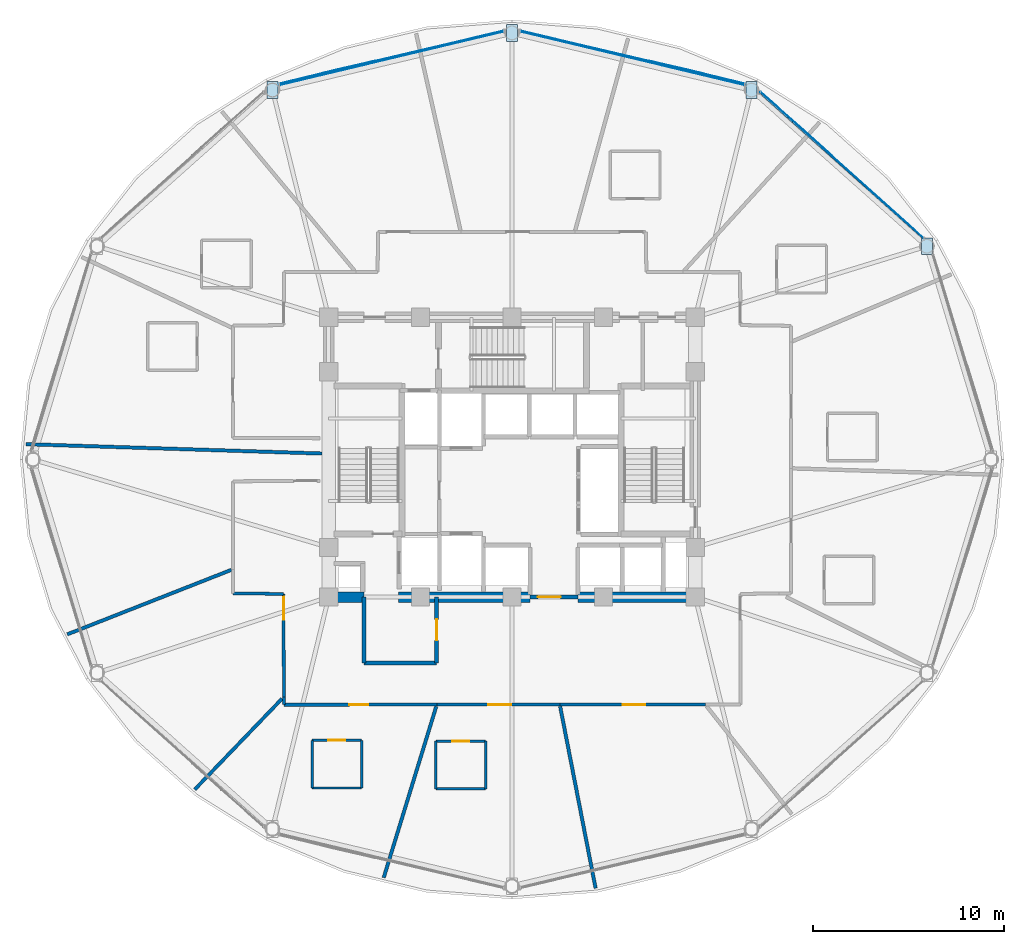
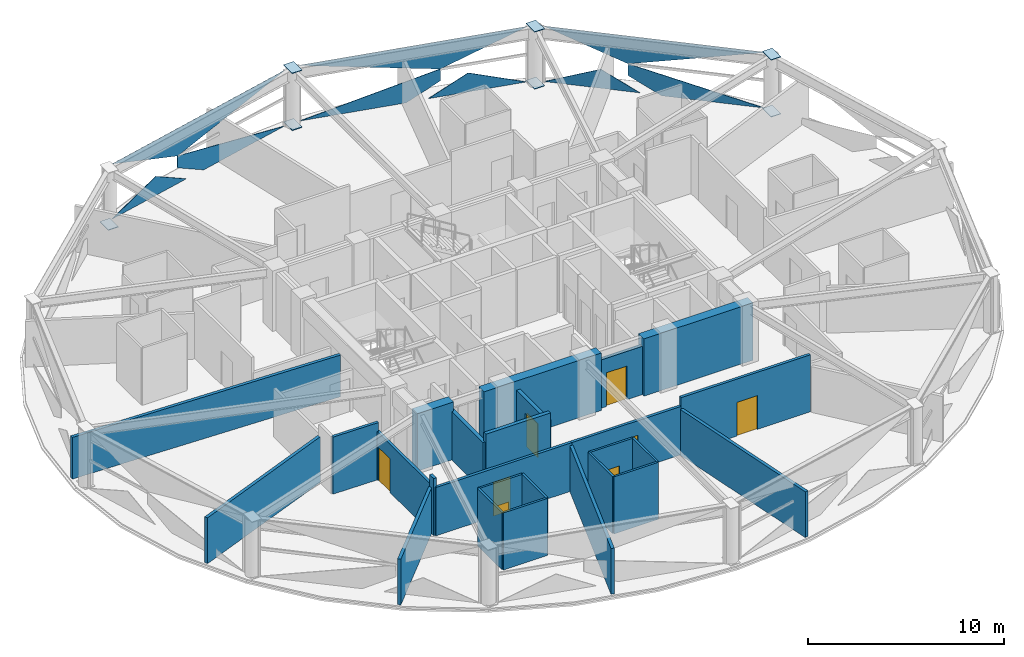
# One storey, part 23 of 30: 26 walls, 16 plates, 8 doors, 8 openings, 3 elements without a shape of their own.
"""IFC4 building model written with IfcOpenShell, lengths in metres."""

from ifc_helpers import new_model, si_unit, direction, frame, frame_2d, origin, place, context, subcontext, project, spatial, polyline, rectangle, outline, extrude, material, layer, layer_set, type_object, element, fill, aggregate, save


model = new_model("IFC4")

# Units and contexts
model_context = context("Model", 3, precision=1e-05, world=origin(), true_north=direction((0.0, 1.0)))
body_context = subcontext(model_context, "Body", "Model", "MODEL_VIEW")
ifc_project = project(units=[si_unit("LENGTHUNIT", "METRE"), si_unit("AREAUNIT", "SQUARE_METRE"), si_unit("VOLUMEUNIT", "CUBIC_METRE"), si_unit("PLANEANGLEUNIT", "RADIAN"), si_unit("MASSUNIT", "GRAM", prefix="KILO")], contexts=[model_context])

# Site, building, storey
site_placement = place(None, origin())
site = spatial("IfcSite", under=ifc_project, at=site_placement, CompositionType="ELEMENT")
building_placement = place(site_placement, origin())
building = spatial("IfcBuilding", under=site, at=building_placement, Name="Vantalir Tower", CompositionType="ELEMENT")
storey_placement = place(building_placement, frame((0.0, 0.0, 130.949951171875)))
storey = spatial("IfcBuildingStorey", under=building, at=storey_placement, Name="L32", CompositionType="ELEMENT", Elevation=130.949951171875)

# Curtain wall, plates
ifc_material_1 = material(Name="Champagne-silver PVDF aluminium and double-silver Low-E glass", Category="aluminium")
ifc_layer_1 = layer(ifc_material_1, 0.199951171875)
ifc_layer_set_1 = layer_set([ifc_layer_1], Name="Champagne-silver PVDF aluminium and double-silver Low-E glass")
curtain_wall_type = type_object("IfcCurtainWallType", Name="CW-DIAMOND-Z2", PredefinedType="USERDEFINED", material=ifc_layer_set_1)
curtain_wall_1_placement = place(storey_placement, origin())
curtain_wall_1 = element("IfcCurtainWall", 1, at=curtain_wall_1_placement, inside=storey, type_object=curtain_wall_type, Name="L32 Quilted Pyramid-Diamond Curtain Wall S02", ObjectType="UNITISED CURTAIN WALL", PredefinedType="USERDEFINED")
ifc_material_2 = material(Name="Double-silver Low-E laminated glass IGU", Category="glass")
ifc_layer_2 = layer(ifc_material_2, 0.028076171875)
ifc_layer_set_2 = layer_set([ifc_layer_2], Name="Double-silver Low-E laminated glass IGU")
plate_type_1 = type_object("IfcPlateType", Name="CWP-IGU-28", PredefinedType="CURTAIN_PANEL", material=ifc_layer_set_2)
plate_1_placement = place(storey_placement, frame((53.056396484375, 36.56982421875, 0.04638671875), z_axis=(-0.665321048293, -0.746427517617, 0.01392349249), x_axis=(-0.746499459111, 0.665386019904, 4.5420241e-05)))
plate_1 = element("IfcPlate", 2, at=plate_1_placement, type_object=plate_type_1, Name="CW-L32-S02 Pyramid Diamond Facet 1L", PredefinedType="CURTAIN_PANEL", context=body_context, shape_type="SweptSolid", body=[
    extrude(outline(polyline([(0.0, 0.0), (5.362885801475239, 1.0842021724855044e-17), (7.1149969649956635, -1.004412872325746), (7.114800175155238, -1.7266503048805537), (0.0, 0.0)])), origin(), (0.0, 0.0, -1.0), 0.028076171875),
])
plate_2_placement = place(storey_placement, frame((48.218994140625, 40.9248046875, 0.046142578125), z_axis=(-0.66534787714, -0.746407726853, 0.01370064523), x_axis=(-0.746477789948, 0.665410331385, 0.0)))
plate_2 = element("IfcPlate", 3, at=plate_2_placement, type_object=plate_type_1, Name="CW-L32-S02 Pyramid Diamond Facet 1L Infill Light", PredefinedType="CURTAIN_PANEL", context=body_context, shape_type="SweptSolid", body=[
    extrude(outline(polyline([(0.0, 0.0), (4.978131302987016, -6.938893903907228e-18), (2.030522816199652, -1.1641717671184035), (0.0, 0.0)])), origin(), (0.0, 0.0, -1.0), 0.028076171875),
])
plate_3_placement = place(storey_placement, frame((44.481689453125, 44.21337890625, 3.5234375), z_axis=(0.665350155773, 0.746404814094, 0.013748589419), x_axis=(0.746475173573, -0.665413266164, 2.1253778e-05)))
plate_3 = element("IfcPlate", 4, at=plate_3_placement, type_object=plate_type_1, Name="CW-L32-S02 Pyramid Diamond Facet 2U", PredefinedType="CURTAIN_PANEL", context=body_context, shape_type="SweptSolid", body=[
    extrude(outline(polyline([(0.0, 0.0), (11.486928614393667, 9.839134715305953e-18), (4.372169293052125, 1.7268186380501638), (0.0, 0.0)])), origin(), (0.0, 0.0, -1.0), 0.028076171875),
])
aggregate(curtain_wall_1, [plate_1, plate_2, plate_3])

curtain_wall_2_placement = place(storey_placement, origin())
curtain_wall_2 = element("IfcCurtainWall", 5, at=curtain_wall_2_placement, inside=storey, type_object=curtain_wall_type, Name="L32 Quilted Pyramid-Diamond Curtain Wall S03", ObjectType="UNITISED CURTAIN WALL", PredefinedType="USERDEFINED")
plate_4_placement = place(storey_placement, frame((37.459228515625, 46.11181640625, 0.04638671875), z_axis=(-0.232278060086, -0.972551162804, 0.013825285911), x_axis=(-0.972644121995, 0.232300262482, 4.243e-08)))
plate_4 = element("IfcPlate", 6, at=plate_4_placement, type_object=plate_type_1, Name="CW-L32-S03 Pyramid Diamond Facet 1L", PredefinedType="CURTAIN_PANEL", context=body_context, shape_type="SweptSolid", body=[
    extrude(outline(polyline([(0.0, 0.0), (5.672012632160406, 0.0), (-1.8193697119849759, -1.7272159350931253), (-1.819263680739674, -0.9978984252104487), (0.0, 0.0)])), origin(), (0.0, 0.0, -1.0), 0.028076171875),
])
plate_5_placement = place(storey_placement, frame((43.70703125, 44.65283203125, 0.046142578125), z_axis=(-0.232265372394, -0.972555828951, 0.013709717712), x_axis=(-0.972647240864, 0.232287203348, 0.0)))
plate_5 = element("IfcPlate", 7, at=plate_5_placement, type_object=plate_type_1, Name="CW-L32-S03 Pyramid Diamond Facet 1L Infill Light", PredefinedType="CURTAIN_PANEL", context=body_context, shape_type="SweptSolid", body=[
    extrude(outline(polyline([(0.0, 0.0), (5.230972146160444, 0.0), (3.103998184671589, -1.166369384047875), (0.0, 0.0)])), origin(), (0.0, 0.0, -1.0), 0.028076171875),
])
plate_6_placement = place(storey_placement, frame((31.9423828125, 47.429443359375, 3.523681640625), z_axis=(0.232268606996, 0.972554172227, 0.013772301452), x_axis=(0.972646485006, -0.232290367424, -2.0197406e-05)))
plate_6 = element("IfcPlate", 8, at=plate_6_placement, type_object=plate_type_1, Name="CW-L32-S03 Pyramid Diamond Facet 2U", PredefinedType="CURTAIN_PANEL", context=body_context, shape_type="SweptSolid", body=[
    extrude(outline(polyline([(0.0, 0.0), (12.0877217564365, 5.990217002982412e-18), (7.49141754020901, 1.7270632736424583), (0.0, 0.0)])), origin(), (0.0, 0.0, -1.0), 0.028076171875),
])
aggregate(curtain_wall_2, [plate_4, plate_5, plate_6])

curtain_wall_3_placement = place(storey_placement, origin())
curtain_wall_3 = element("IfcCurtainWall", 9, at=curtain_wall_3_placement, inside=storey, type_object=curtain_wall_type, Name="L32 Quilted Pyramid-Diamond Curtain Wall S04", ObjectType="UNITISED CURTAIN WALL", PredefinedType="USERDEFINED")
plate_7_placement = place(storey_placement, frame((31.0576171875, 47.429443359375, 0.04638671875), z_axis=(0.232270095315, -0.972555600558, 0.013645755559), x_axis=(-0.972646161797, -0.232291721638, 1.36739e-07)))
plate_7 = element("IfcPlate", 10, at=plate_7_placement, type_object=plate_type_1, Name="CW-L32-S04 Pyramid Diamond Facet 1L", PredefinedType="CURTAIN_PANEL", context=body_context, shape_type="SweptSolid", body=[
    extrude(outline(polyline([(0.0, 0.0), (5.671480995059046, -3.469446951953614e-18), (7.490801687648725, -0.9978946217201875), (7.490670475497875, -1.7272113490975243), (0.0, 0.0)])), origin(), (0.0, 0.0, -1.0), 0.028076171875),
])
plate_8_placement = place(storey_placement, frame((24.38134765625, 45.867919921875, 0.046142578125), z_axis=(0.232286490783, -0.972550913187, 0.013700637203), x_axis=(-0.972642203569, -0.232308294806, 0.0)))
plate_8 = element("IfcPlate", 11, at=plate_8_placement, type_object=plate_type_1, Name="CW-L32-S04 Pyramid Diamond Facet 1L Infill Light", PredefinedType="CURTAIN_PANEL", context=body_context, shape_type="SweptSolid", body=[
    extrude(outline(polyline([(0.0, 0.0), (5.230497221979619, -3.469446951953614e-18), (2.126736152762889, -1.1663692388659634), (0.0, 0.0)])), origin(), (0.0, 0.0, -1.0), 0.028076171875),
])
plate_9_placement = place(storey_placement, frame((19.301513671875, 44.62158203125, 3.5234375), z_axis=(-0.23228691436, 0.972550041908, 0.013755195451), x_axis=(0.972642125179, 0.232308622135, 2.0198993e-05)))
plate_9 = element("IfcPlate", 12, at=plate_9_placement, type_object=plate_type_1, Name="CW-L32-S04 Pyramid Diamond Facet 2U", PredefinedType="CURTAIN_PANEL", context=body_context, shape_type="SweptSolid", body=[
    extrude(outline(polyline([(0.0, 0.0), (12.086771908482225, -3.9302328752599536e-18), (4.596067197632474, 1.7270628694491834), (0.0, 0.0)])), origin(), (0.0, 0.0, -1.0), 0.028076171875),
])
aggregate(curtain_wall_3, [plate_7, plate_8, plate_9])

# Plates
ifc_material_3 = material(Name="Steel S460", Category="steel")
ifc_layer_3 = layer(ifc_material_3, 0.035888671875)
ifc_layer_set_3 = layer_set([ifc_layer_3], Name="Steel S460")
plate_type_2 = type_object("IfcPlateType", Name="PLT-KN-Z2", PredefinedType="USERDEFINED", material=ifc_layer_set_3)
for number, where, z_axis, x_axis, name in (
    (13, (52.94091796875, 36.612060546875, 3.59814453125), (0.0, 0.0, 1.0), (0.0, -1.0, 0.0), "L32 Ring Column Top Cap RC02"),
    (14, (52.94091796875, 36.612060546875, 0.052978515625), (0.0, 0.0, 1.0), (0.0, -1.0, 0.0), "L32 Ring Column Base Cap RC02"),
):
    element("IfcPlate", number, at=place(storey_placement, frame(where, z_axis=z_axis, x_axis=x_axis)), inside=storey, type_object=plate_type_2, Name=name, ObjectType="FLANGE_PLATE", PredefinedType="USERDEFINED", context=body_context, shape_type="SweptSolid", body=[
        extrude(outline(polyline([(0.0, 0.0), (0.880126953125, 0.0), (0.880126953125, 0.580078125), (0.0, 0.580078125), (0.0, 0.0)])), origin(), (0.0, 0.0, -1.0), 0.035888671875),
    ])
for number, where, z_axis, x_axis, name in (
    (15, (43.757080078125, 44.791015625, 3.59814453125), (0.0, 0.0, 1.0), (0.0, -1.0, 0.0), "L32 Ring Column Top Cap RC03"),
    (16, (43.757080078125, 44.791015625, 0.052978515625), (0.0, 0.0, 1.0), (0.0, -1.0, 0.0), "L32 Ring Column Base Cap RC03"),
):
    element("IfcPlate", number, at=place(storey_placement, frame(where, z_axis=z_axis, x_axis=x_axis)), inside=storey, type_object=plate_type_2, Name=name, ObjectType="FLANGE_PLATE", PredefinedType="USERDEFINED", context=body_context, shape_type="SweptSolid", body=[
        extrude(outline(polyline([(0.0, 0.0), (0.880126953125, 0.0), (0.880126953125, 0.579833984375), (0.0, 0.579833984375), (0.0, 0.0)])), origin(), (0.0, 0.0, -1.0), 0.035888671875),
    ])
for number, where, z_axis, x_axis, name in (
    (17, (31.2099609375, 47.784912109375, 3.59814453125), (0.0, 0.0, 1.0), (0.0, -1.0, 0.0), "L32 Ring Column Top Cap RC04"),
    (18, (31.2099609375, 47.784912109375, 0.052978515625), (0.0, 0.0, 1.0), (0.0, -1.0, 0.0), "L32 Ring Column Base Cap RC04"),
):
    element("IfcPlate", number, at=place(storey_placement, frame(where, z_axis=z_axis, x_axis=x_axis)), inside=storey, type_object=plate_type_2, Name=name, ObjectType="FLANGE_PLATE", PredefinedType="USERDEFINED", context=body_context, shape_type="SweptSolid", body=[
        extrude(outline(polyline([(0.0, 0.0), (0.8798828125, 0.0), (0.8798828125, 0.580078125), (0.0, 0.580078125), (0.0, 0.0)])), origin(), (0.0, 0.0, -1.0), 0.035888671875),
    ])
plate_10_placement = place(storey_placement, frame((18.6640625, 44.791015625, 0.052978515625), z_axis=(0.0, 0.0, 1.0), x_axis=(0.0, -1.0, 0.0)))
element("IfcPlate", 19, at=plate_10_placement, inside=storey, type_object=plate_type_2, Name="L32 Ring Column Base Cap RC05", ObjectType="FLANGE_PLATE", PredefinedType="USERDEFINED", context=body_context, shape_type="SweptSolid", body=[
    extrude(outline(polyline([(0.0, 0.0), (0.880126953125, 0.0), (0.880126953125, 0.579833984375), (0.0, 0.579833984375), (0.0, 0.0)])), origin(), (0.0, 0.0, -1.0), 0.035888671875),
])

# Wall
ifc_material_4 = material(Name="Moisture-resistant en-suite partition", Category="gypsum")
ifc_layer_4 = layer(ifc_material_4, 0.125)
ifc_layer_set_4 = layer_set([ifc_layer_4], Name="Moisture-resistant en-suite partition")
wall_type_1 = type_object("IfcWallType", Name="WL-BATH-125", PredefinedType="PARTITIONING", material=ifc_layer_set_4)
wall_1_placement = place(storey_placement, frame((21.029052734375, 7.794921875, 0.0), z_axis=(0.0, 0.0, 1.0), x_axis=(1.0, 0.0, 0.0)))
element("IfcWall", 20, at=wall_1_placement, inside=storey, type_object=wall_type_1, Name="L32 En-suite 09 South Wall", PredefinedType="PARTITIONING", context=body_context, shape_type="SweptSolid", body=[
    extrude(rectangle(XDim=2.599853515625, YDim=0.125, at=frame_2d((1.2998046875, 0.0))), origin(), (0.0, 0.0, 1.0), 3.550048828125),
])

# Wall, opening, door
wall_2_placement = place(storey_placement, frame((21.029052734375, 10.294921875, 0.0), z_axis=(0.0, 0.0, 1.0), x_axis=(1.0, 0.0, 0.0)))
wall_2 = element("IfcWall", 21, at=wall_2_placement, inside=storey, type_object=wall_type_1, Name="L32 En-suite 09 North Wall", PredefinedType="PARTITIONING", context=body_context, shape_type="SweptSolid", body=[
    extrude(rectangle(XDim=2.599853515625, YDim=0.125, at=frame_2d((1.2998046875, 0.0))), origin(), (0.0, 0.0, 1.0), 3.550048828125),
])
opening_1_placement = place(wall_2_placement, frame((0.85009765625, 0.0, 0.0)))
opening_1 = element("IfcOpeningElement", 22, at=opening_1_placement, cuts=wall_2, Name="Opening D-WC", PredefinedType="OPENING", context=body_context, shape_type="SweptSolid", body=[
    extrude(rectangle(XDim=0.89990234375, YDim=2.10009765625, at=frame_2d((0.449951171875, 1.050048828125))), frame((0.0, 0.072509765625, 0.0), z_axis=(0.0, -1.0, 0.0), x_axis=(1.0, 0.0, 0.0)), (0.0, 0.0, 1.0), 0.14501953125),
])
ifc_material_5 = material(Name="Moisture-resistant hardwood door", Category="wood")
door_type_1 = type_object("IfcDoorType", Name="DR-ENSUITE-900", OperationType="NOTDEFINED", PredefinedType="DOOR", material=ifc_material_5)
door_1_placement = place(opening_1_placement, frame((0.89990234375, 0.0, 0.0), z_axis=(0.0, 0.0, 1.0), x_axis=(-1.0, 0.0, 0.0)))
door_1 = element("IfcDoor", 23, at=door_1_placement, inside=storey, type_object=door_type_1, Name="L32 En-suite 09 Door", OperationType="SINGLE_SWING_RIGHT", OverallHeight=2.10009765625, OverallWidth=0.89990234375, PredefinedType="DOOR", context=body_context, shape_type="SweptSolid", body=[
    extrude(rectangle(XDim=0.89990234375, YDim=2.10009765625, at=frame_2d((0.449951171875, 1.050048828125))), frame((0.0, 0.02490234375, 0.0), z_axis=(0.0, -1.0, 0.0), x_axis=(1.0, 0.0, 0.0)), (0.0, 0.0, 1.0), 0.050048828125),
])
fill(opening_1, door_1)

# Walls
for number, where, z_axis, x_axis, name in (
    (24, (21.029052734375, 7.794921875, 0.0), (0.0, 0.0, 1.0), (0.0, 1.0, 0.0), "L32 En-suite 09 West Wall"),
    (25, (23.62890625, 7.794921875, 0.0), (0.0, 0.0, 1.0), (0.0, 1.0, 0.0), "L32 En-suite 09 East Wall"),
):
    element("IfcWall", number, at=place(storey_placement, frame(where, z_axis=z_axis, x_axis=x_axis)), inside=storey, type_object=wall_type_1, Name=name, PredefinedType="PARTITIONING", context=body_context, shape_type="SweptSolid", body=[
        extrude(rectangle(XDim=2.5, YDim=0.125, at=frame_2d((1.25, 0.0))), origin(), (0.0, 0.0, 1.0), 3.550048828125),
    ])
wall_3_placement = place(storey_placement, frame((27.51611328125, 7.75, 0.0), z_axis=(0.0, 0.0, 1.0), x_axis=(1.0, 0.0, 0.0)))
element("IfcWall", 26, at=wall_3_placement, inside=storey, type_object=wall_type_1, Name="L32 En-suite 10 South Wall", PredefinedType="PARTITIONING", context=body_context, shape_type="SweptSolid", body=[
    extrude(rectangle(XDim=2.599853515625, YDim=0.125, at=frame_2d((1.2998046875, 0.0))), origin(), (0.0, 0.0, 1.0), 3.550048828125),
])

# Wall, opening, door
wall_4_placement = place(storey_placement, frame((27.51611328125, 10.25, 0.0), z_axis=(0.0, 0.0, 1.0), x_axis=(1.0, 0.0, 0.0)))
wall_4 = element("IfcWall", 27, at=wall_4_placement, inside=storey, type_object=wall_type_1, Name="L32 En-suite 10 North Wall", PredefinedType="PARTITIONING", context=body_context, shape_type="SweptSolid", body=[
    extrude(rectangle(XDim=2.599853515625, YDim=0.125, at=frame_2d((1.2998046875, 0.0))), origin(), (0.0, 0.0, 1.0), 3.550048828125),
])
opening_2_placement = place(wall_4_placement, frame((0.85009765625, 0.0, 0.0)))
opening_2 = element("IfcOpeningElement", 28, at=opening_2_placement, cuts=wall_4, Name="Opening D-WC", PredefinedType="OPENING", context=body_context, shape_type="SweptSolid", body=[
    extrude(rectangle(XDim=0.89990234375, YDim=2.10009765625, at=frame_2d((0.449951171875, 1.050048828125))), frame((0.0, 0.072509765625, 0.0), z_axis=(0.0, -1.0, 0.0), x_axis=(1.0, 0.0, 0.0)), (0.0, 0.0, 1.0), 0.14501953125),
])
door_2_placement = place(opening_2_placement, frame((0.89990234375, 0.0, 0.0), z_axis=(0.0, 0.0, 1.0), x_axis=(-1.0, 0.0, 0.0)))
door_2 = element("IfcDoor", 29, at=door_2_placement, inside=storey, type_object=door_type_1, Name="L32 En-suite 10 Door", OperationType="SINGLE_SWING_LEFT", OverallHeight=2.10009765625, OverallWidth=0.89990234375, PredefinedType="DOOR", context=body_context, shape_type="SweptSolid", body=[
    extrude(rectangle(XDim=0.89990234375, YDim=2.10009765625, at=frame_2d((0.449951171875, 1.050048828125))), frame((0.0, 0.02490234375, 0.0), z_axis=(0.0, -1.0, 0.0), x_axis=(1.0, 0.0, 0.0)), (0.0, 0.0, 1.0), 0.050048828125),
])
fill(opening_2, door_2)

# Walls
for number, where, z_axis, x_axis, name in (
    (30, (27.51611328125, 7.75, 0.0), (0.0, 0.0, 1.0), (0.0, 1.0, 0.0), "L32 En-suite 10 West Wall"),
    (31, (30.115966796875, 7.75, 0.0), (0.0, 0.0, 1.0), (0.0, 1.0, 0.0), "L32 En-suite 10 East Wall"),
):
    element("IfcWall", number, at=place(storey_placement, frame(where, z_axis=z_axis, x_axis=x_axis)), inside=storey, type_object=wall_type_1, Name=name, PredefinedType="PARTITIONING", context=body_context, shape_type="SweptSolid", body=[
        extrude(rectangle(XDim=2.5, YDim=0.125, at=frame_2d((1.25, 0.0))), origin(), (0.0, 0.0, 1.0), 3.550048828125),
    ])
ifc_material_6 = material(Name="Concrete C60/75", Category="concrete")
ifc_layer_5 = layer(ifc_material_6, 0.550048828125)
ifc_layer_set_5 = layer_set([ifc_layer_5], Name="Concrete C60/75")
wall_type_2 = type_object("IfcWallType", Name="WL-CORE-550", PredefinedType="SHEAR", material=ifc_layer_set_5)
wall_5_placement = place(storey_placement, frame((21.625, 17.800048828125, 0.0), z_axis=(0.0, 0.0, 1.0), x_axis=(1.0, 0.0, 0.0)))
element("IfcWall", 32, at=wall_5_placement, inside=storey, type_object=wall_type_2, Name="L32 Core Shear Wall South-West", PredefinedType="SHEAR", context=body_context, shape_type="SweptSolid", body=[
    extrude(rectangle(XDim=2.125, YDim=0.550048828125, at=frame_2d((1.0625, 0.0))), origin(), (0.0, 0.0, 1.0), 3.570068359375),
])
wall_6_placement = place(storey_placement, frame((25.550048828125, 17.800048828125, 0.0), z_axis=(0.0, 0.0, 1.0), x_axis=(1.0, 0.0, 0.0)))
element("IfcWall", 33, at=wall_6_placement, inside=storey, type_object=wall_type_2, Name="L32 Core Shear Wall South-Mid", PredefinedType="SHEAR", context=body_context, shape_type="SweptSolid", body=[
    extrude(rectangle(XDim=6.89990234375, YDim=0.550048828125, at=frame_2d((3.449951171875, 0.0))), origin(), (0.0, 0.0, 1.0), 3.570068359375),
])
wall_7_placement = place(storey_placement, frame((34.949951171875, 17.800048828125, 0.0), z_axis=(0.0, 0.0, 1.0), x_axis=(1.0, 0.0, 0.0)))
element("IfcWall", 34, at=wall_7_placement, inside=storey, type_object=wall_type_2, Name="L32 Core Shear Wall South-East", PredefinedType="SHEAR", context=body_context, shape_type="SweptSolid", body=[
    extrude(rectangle(XDim=6.425048828125, YDim=0.550048828125, at=frame_2d((3.21240234375, 0.0))), origin(), (0.0, 0.0, 1.0), 3.570068359375),
])

# Wall, opening, door
ifc_material_7 = material(Name="Fire-rated hotel corridor acoustic partition", Category="gypsum")
ifc_layer_6 = layer(ifc_material_7, 0.159912109375)
ifc_layer_set_6 = layer_set([ifc_layer_6], Name="Fire-rated hotel corridor acoustic partition")
wall_type_3 = type_object("IfcWallType", Name="WL-CORR-160", PredefinedType="PARTITIONING", material=ifc_layer_set_6)
wall_8_placement = place(storey_placement, frame((41.625, 12.1669921875, 0.0), z_axis=(0.0, 0.0, 1.0), x_axis=(-0.999999868642, -0.000512557595, 0.0)))
wall_8 = element("IfcWall", 35, at=wall_8_placement, inside=storey, type_object=wall_type_3, Name="L32 Corridor Partition 23", PredefinedType="PARTITIONING", context=body_context, shape_type="SweptSolid", body=[
    extrude(rectangle(XDim=7.62109375, YDim=0.159912109375, at=frame_2d((3.810546875, 0.0))), origin(), (0.0, 0.0, 1.0), 3.550048828125),
])
opening_3_placement = place(wall_8_placement, frame((3.135986328125, 0.0, 0.0)))
opening_3 = element("IfcOpeningElement", 36, at=opening_3_placement, cuts=wall_8, Name="Opening D-STE", PredefinedType="OPENING", context=body_context, shape_type="SweptSolid", body=[
    extrude(rectangle(XDim=1.199951171875, YDim=2.10009765625, at=frame_2d((0.60009765625, 1.050048828125))), frame((0.0, 0.08984375, 0.0), z_axis=(0.0, -1.0, 0.0), x_axis=(1.0, 0.0, 0.0)), (0.0, 0.0, 1.0), 0.179931640625),
])
ifc_material_8 = material(Name="Solid-core teak veneer suite entrance door", Category="wood")
door_type_2 = type_object("IfcDoorType", Name="DR-SUITE-ENTRY-1200", OperationType="NOTDEFINED", PredefinedType="DOOR", material=ifc_material_8)
door_3_placement = place(opening_3_placement, origin())
door_3 = element("IfcDoor", 37, at=door_3_placement, inside=storey, type_object=door_type_2, Name="L32 Club Reading Lounge 11 Door", OperationType="SINGLE_SWING_RIGHT", OverallHeight=2.10009765625, OverallWidth=1.199951171875, PredefinedType="DOOR", context=body_context, shape_type="SweptSolid", body=[
    extrude(rectangle(XDim=1.199951171875, YDim=2.10009765625, at=frame_2d((0.60009765625, 1.050048828125))), frame((0.0, 0.02490234375, 0.0), z_axis=(0.0, -1.0, 0.0), x_axis=(1.0, 0.0, 0.0)), (0.0, 0.0, 1.0), 0.050048828125),
])
fill(opening_3, door_3)

wall_9_placement = place(storey_placement, frame((34.00390625, 12.1630859375, 0.0), z_axis=(0.0, 0.0, 1.0), x_axis=(-0.999999878667, -0.000492610778, 0.0)))
wall_9 = element("IfcWall", 38, at=wall_9_placement, inside=storey, type_object=wall_type_3, Name="L32 Corridor Partition 24", PredefinedType="PARTITIONING", context=body_context, shape_type="SweptSolid", body=[
    extrude(rectangle(XDim=6.44287109375, YDim=0.159912109375, at=frame_2d((3.221435546875, 0.0))), origin(), (0.0, 0.0, 1.0), 3.006103515625),
])
opening_4_placement = place(wall_9_placement, frame((2.547119140625, 0.0, 0.0)))
opening_4 = element("IfcOpeningElement", 39, at=opening_4_placement, cuts=wall_9, Name="Opening D-STE", PredefinedType="OPENING", context=body_context, shape_type="SweptSolid", body=[
    extrude(rectangle(XDim=1.199951171875, YDim=2.10009765625, at=frame_2d((0.60009765625, 1.050048828125))), frame((0.0, 0.08984375, 0.0), z_axis=(0.0, -1.0, 0.0), x_axis=(1.0, 0.0, 0.0)), (0.0, 0.0, 1.0), 0.179931640625),
])
door_4_placement = place(opening_4_placement, origin())
door_4 = element("IfcDoor", 40, at=door_4_placement, inside=storey, type_object=door_type_2, Name="L32 Corner Panorama Hotel Suite 10 Door", OperationType="SINGLE_SWING_LEFT", OverallHeight=2.10009765625, OverallWidth=1.199951171875, PredefinedType="DOOR", context=body_context, shape_type="SweptSolid", body=[
    extrude(rectangle(XDim=1.199951171875, YDim=2.10009765625, at=frame_2d((0.60009765625, 1.050048828125))), frame((0.0, 0.02490234375, 0.0), z_axis=(0.0, -1.0, 0.0), x_axis=(1.0, 0.0, 0.0)), (0.0, 0.0, 1.0), 0.050048828125),
])
fill(opening_4, door_4)

wall_10_placement = place(storey_placement, frame((27.56103515625, 12.159912109375, 0.0), z_axis=(0.0, 0.0, 1.0), x_axis=(-0.99999993308, -0.00036584248, 0.0)))
wall_10 = element("IfcWall", 41, at=wall_10_placement, inside=storey, type_object=wall_type_3, Name="L32 Corridor Partition 25", PredefinedType="PARTITIONING", context=body_context, shape_type="SweptSolid", body=[
    extrude(rectangle(XDim=8.008056640625, YDim=0.159912109375, at=frame_2d((4.00390625, 0.0))), origin(), (0.0, 0.0, 1.0), 3.006103515625),
])
opening_5_placement = place(wall_10_placement, frame((3.577880859375, 0.0, 0.0)))
opening_5 = element("IfcOpeningElement", 42, at=opening_5_placement, cuts=wall_10, Name="Opening D-GUEST", PredefinedType="OPENING", context=body_context, shape_type="SweptSolid", body=[
    extrude(rectangle(XDim=1.0, YDim=2.10009765625, at=frame_2d((0.5, 1.050048828125))), frame((0.0, 0.08984375, 0.0), z_axis=(0.0, -1.0, 0.0), x_axis=(1.0, 0.0, 0.0)), (0.0, 0.0, 1.0), 0.179931640625),
])
ifc_material_9 = material(Name="Solid-core teak veneer acoustic fire door", Category="wood")
door_type_3 = type_object("IfcDoorType", Name="DR-GUEST-ENTRY-1000", OperationType="NOTDEFINED", PredefinedType="DOOR", material=ifc_material_9)
door_5_placement = place(opening_5_placement, origin())
door_5 = element("IfcDoor", 43, at=door_5_placement, inside=storey, type_object=door_type_3, Name="L32 Twin Queen Hotel Room 09 Door", OperationType="SINGLE_SWING_RIGHT", OverallHeight=2.10009765625, OverallWidth=1.0, PredefinedType="DOOR", context=body_context, shape_type="SweptSolid", body=[
    extrude(rectangle(XDim=1.0, YDim=2.10009765625, at=frame_2d((0.5, 1.050048828125))), frame((0.0, 0.02490234375, 0.0), z_axis=(0.0, -1.0, 0.0), x_axis=(1.0, 0.0, 0.0)), (0.0, 0.0, 1.0), 0.050048828125),
])
fill(opening_5, door_5)

# Wall
wall_11_placement = place(storey_placement, frame((19.552978515625, 12.156982421875, 0.0), z_axis=(0.0, 0.0, 1.0), x_axis=(-0.002347411373, 0.999997244826, 0.0)))
element("IfcWall", 44, at=wall_11_placement, inside=storey, type_object=wall_type_3, Name="L32 Corridor Partition 26", PredefinedType="PARTITIONING", context=body_context, shape_type="SweptSolid", body=[
    extrude(rectangle(XDim=0.416015625, YDim=0.159912109375, at=frame_2d((0.2080078125, 0.0))), origin(), (0.0, 0.0, 1.0), 3.550048828125),
])

# Wall, opening, door
wall_12_placement = place(storey_placement, frame((19.552001953125, 12.572998046875, 0.0), z_axis=(0.0, 0.0, 1.0), x_axis=(-0.003172429084, 0.999994967834, 0.0)))
wall_12 = element("IfcWall", 45, at=wall_12_placement, inside=storey, type_object=wall_type_3, Name="L32 Corridor Partition 27", PredefinedType="PARTITIONING", context=body_context, shape_type="SweptSolid", body=[
    extrude(rectangle(XDim=5.386962890625, YDim=0.159912109375, at=frame_2d((2.693359375, 0.0))), origin(), (0.0, 0.0, 1.0), 3.006103515625),
])
opening_6_placement = place(wall_12_placement, frame((4.027099609375, 0.0, 0.0)))
opening_6 = element("IfcOpeningElement", 46, at=opening_6_placement, cuts=wall_12, Name="Opening D-STE", PredefinedType="OPENING", context=body_context, shape_type="SweptSolid", body=[
    extrude(rectangle(XDim=1.199951171875, YDim=2.10009765625, at=frame_2d((0.60009765625, 1.050048828125))), frame((0.0, 0.08984375, 0.0), z_axis=(0.0, -1.0, 0.0), x_axis=(1.0, 0.0, 0.0)), (0.0, 0.0, 1.0), 0.179931640625),
])
door_6_placement = place(opening_6_placement, origin())
door_6 = element("IfcDoor", 47, at=door_6_placement, inside=storey, type_object=door_type_2, Name="L32 Executive Sky Boardroom 08 Door", OperationType="SINGLE_SWING_LEFT", OverallHeight=2.10009765625, OverallWidth=1.199951171875, PredefinedType="DOOR", context=body_context, shape_type="SweptSolid", body=[
    extrude(rectangle(XDim=1.199951171875, YDim=2.10009765625, at=frame_2d((0.60009765625, 1.050048828125))), frame((0.0, 0.02490234375, 0.0), z_axis=(0.0, -1.0, 0.0), x_axis=(1.0, 0.0, 0.0)), (0.0, 0.0, 1.0), 0.050048828125),
])
fill(opening_6, door_6)

# Wall
wall_13_placement = place(storey_placement, frame((19.534912109375, 17.9599609375, 0.0), z_axis=(0.0, 0.0, 1.0), x_axis=(-0.999927388367, 0.012050642859, 0.0)))
element("IfcWall", 48, at=wall_13_placement, inside=storey, type_object=wall_type_3, Name="L32 Corridor Partition 28", PredefinedType="PARTITIONING", context=body_context, shape_type="SweptSolid", body=[
    extrude(rectangle(XDim=2.654052734375, YDim=0.159912109375, at=frame_2d((1.3271484375, 0.0))), origin(), (0.0, 0.0, 1.0), 3.550048828125),
])

# Wall, opening, door
ifc_material_10 = material(Name="Concrete blockwork with fireboard lining", Category="masonry")
ifc_layer_7 = layer(ifc_material_10, 0.219970703125)
ifc_layer_set_7 = layer_set([ifc_layer_7], Name="Concrete blockwork with fireboard lining")
wall_type_4 = type_object("IfcWallType", Name="WL-FFL-220", PredefinedType="PARTITIONING", material=ifc_layer_set_7)
wall_14_placement = place(storey_placement, frame((32.449951171875, 17.800048828125, 0.0), z_axis=(0.0, 0.0, 1.0), x_axis=(1.0, 0.0, 0.0)))
wall_14 = element("IfcWall", 49, at=wall_14_placement, inside=storey, type_object=wall_type_4, Name="L32 Passenger Lift Lobby South Wall", PredefinedType="PARTITIONING", context=body_context, shape_type="SweptSolid", body=[
    extrude(rectangle(XDim=2.5, YDim=0.219970703125, at=frame_2d((1.25, 0.0))), origin(), (0.0, 0.0, 1.0), 3.006103515625),
])
opening_7_placement = place(wall_14_placement, frame((0.39990234375, 0.0, 0.0)))
opening_7 = element("IfcOpeningElement", 50, at=opening_7_placement, cuts=wall_14, Name="Opening D-STE", PredefinedType="OPENING", context=body_context, shape_type="SweptSolid", body=[
    extrude(rectangle(XDim=1.199951171875, YDim=2.10009765625, at=frame_2d((0.60009765625, 1.050048828125))), frame((0.0, 0.119873046875, 0.0), z_axis=(0.0, -1.0, 0.0), x_axis=(1.0, 0.0, 0.0)), (0.0, 0.0, 1.0), 0.239990234375),
])
door_7_placement = place(opening_7_placement, origin())
door_7 = element("IfcDoor", 51, at=door_7_placement, inside=storey, type_object=door_type_2, Name="L32 Passenger Lift Lobby Concourse Door", OperationType="SINGLE_SWING_LEFT", OverallHeight=2.10009765625, OverallWidth=1.199951171875, PredefinedType="DOOR", context=body_context, shape_type="SweptSolid", body=[
    extrude(rectangle(XDim=1.199951171875, YDim=2.10009765625, at=frame_2d((0.60009765625, 1.050048828125))), frame((0.0, 0.02490234375, 0.0), z_axis=(0.0, -1.0, 0.0), x_axis=(1.0, 0.0, 0.0)), (0.0, 0.0, 1.0), 0.050048828125),
])
fill(opening_7, door_7)

# Walls
wall_15_placement = place(storey_placement, frame((23.75, 14.35009765625, 0.0), z_axis=(0.0, 0.0, 1.0), x_axis=(0.0, 1.0, 0.0)))
element("IfcWall", 52, at=wall_15_placement, inside=storey, type_object=wall_type_4, Name="L32 Firefighting Lobby West Outer W", PredefinedType="PARTITIONING", context=body_context, shape_type="SweptSolid", body=[
    extrude(rectangle(XDim=3.449951171875, YDim=0.219970703125, at=frame_2d((1.72509765625, 0.0))), origin(), (0.0, 0.0, 1.0), 3.006103515625),
])
wall_16_placement = place(storey_placement, frame((23.75, 14.35009765625, 0.0), z_axis=(0.0, 0.0, 1.0), x_axis=(1.0, 0.0, 0.0)))
element("IfcWall", 53, at=wall_16_placement, inside=storey, type_object=wall_type_4, Name="L32 Firefighting Lobby West South Wall", PredefinedType="PARTITIONING", context=body_context, shape_type="SweptSolid", body=[
    extrude(rectangle(XDim=3.800048828125, YDim=0.219970703125, at=frame_2d((1.89990234375, 0.0))), origin(), (0.0, 0.0, 1.0), 3.550048828125),
])

# Wall, opening, door
wall_17_placement = place(storey_placement, frame((27.550048828125, 14.35009765625, 0.0), z_axis=(0.0, 0.0, 1.0), x_axis=(0.0, 1.0, 0.0)))
wall_17 = element("IfcWall", 54, at=wall_17_placement, inside=storey, type_object=wall_type_4, Name="L32 Firefighting Lobby West East Wall", PredefinedType="PARTITIONING", context=body_context, shape_type="SweptSolid", body=[
    extrude(rectangle(XDim=3.449951171875, YDim=0.219970703125, at=frame_2d((1.72509765625, 0.0))), origin(), (0.0, 0.0, 1.0), 3.006103515625),
])
opening_8_placement = place(wall_17_placement, frame((1.175048828125, 0.0, 0.0)))
opening_8 = element("IfcOpeningElement", 55, at=opening_8_placement, cuts=wall_17, Name="Opening D-FFL", PredefinedType="OPENING", context=body_context, shape_type="SweptSolid", body=[
    extrude(rectangle(XDim=1.10009765625, YDim=2.10009765625, at=frame_2d((0.550048828125, 1.050048828125))), frame((0.0, 0.119873046875, 0.0), z_axis=(0.0, -1.0, 0.0), x_axis=(1.0, 0.0, 0.0)), (0.0, 0.0, 1.0), 0.239990234375),
])
ifc_material_11 = material(Name="Fire-rated acoustic steel door", Category="steel")
door_type_4 = type_object("IfcDoorType", Name="DR-FIRE-LOBBY-1100", OperationType="NOTDEFINED", PredefinedType="DOOR", material=ifc_material_11)
door_8_placement = place(opening_8_placement, origin())
door_8 = element("IfcDoor", 56, at=door_8_placement, inside=storey, type_object=door_type_4, Name="L32 Firefighting Lobby West Access Door", OperationType="SINGLE_SWING_LEFT", OverallHeight=2.10009765625, OverallWidth=1.10009765625, PredefinedType="DOOR", context=body_context, shape_type="SweptSolid", body=[
    extrude(rectangle(XDim=1.10009765625, YDim=2.10009765625, at=frame_2d((0.550048828125, 1.050048828125))), frame((0.0, 0.02490234375, 0.0), z_axis=(0.0, -1.0, 0.0), x_axis=(1.0, 0.0, 0.0)), (0.0, 0.0, 1.0), 0.050048828125),
])
fill(opening_8, door_8)

# Walls
ifc_material_12 = material(Name="Twin-stud acoustic fire-rated gypsum partition", Category="gypsum")
ifc_layer_8 = layer(ifc_material_12, 0.179931640625)
ifc_layer_set_8 = layer_set([ifc_layer_8], Name="Twin-stud acoustic fire-rated gypsum partition")
wall_type_5 = type_object("IfcWallType", Name="WL-GUEST-180", PredefinedType="PARTITIONING", material=ifc_layer_set_8)
wall_18_placement = place(storey_placement, frame((21.550048828125, 25.31396484375, 0.0), z_axis=(0.0, 0.0, 1.0), x_axis=(-0.999501616621, 0.031567679233, 0.0)))
element("IfcWall", 57, at=wall_18_placement, inside=storey, type_object=wall_type_5, Name="L32 Radial Suite Partition 07", PredefinedType="PARTITIONING", context=body_context, shape_type="SweptSolid", body=[
    extrude(rectangle(XDim=15.52197265625, YDim=0.179931640625, at=frame_2d((7.760986328125, 0.0))), origin(), (0.0, 0.0, 1.0), 2.594970703125),
])
wall_19_placement = place(storey_placement, frame((16.804931640625, 19.222900390625, 0.0), z_axis=(0.0, 0.0, 1.0), x_axis=(-0.930694620262, -0.365797107444, 0.0)))
element("IfcWall", 58, at=wall_19_placement, inside=storey, type_object=wall_type_5, Name="L32 Radial Suite Partition 08", PredefinedType="PARTITIONING", context=body_context, shape_type="SweptSolid", body=[
    extrude(rectangle(XDim=9.237060546875, YDim=0.179931640625, at=frame_2d((4.61865234375, 0.0))), origin(), (0.0, 0.0, 1.0), 2.85205078125),
])
wall_20_placement = place(storey_placement, frame((19.4599609375, 12.47802734375, 0.0), z_axis=(0.0, 0.0, 1.0), x_axis=(-0.693112409016, -0.720829514149, 0.0)))
element("IfcWall", 59, at=wall_20_placement, inside=storey, type_object=wall_type_5, Name="L32 Radial Suite Partition 09", PredefinedType="PARTITIONING", context=body_context, shape_type="SweptSolid", body=[
    extrude(rectangle(XDim=6.606201171875, YDim=0.179931640625, at=frame_2d((3.30322265625, 0.0))), origin(), (0.0, 0.0, 1.0), 2.85205078125),
])
wall_21_placement = place(storey_placement, frame((27.534912109375, 12.074951171875, 0.0), z_axis=(0.0, 0.0, 1.0), x_axis=(-0.293281847857, -0.956026023557, 0.0)))
element("IfcWall", 60, at=wall_21_placement, inside=storey, type_object=wall_type_5, Name="L32 Radial Suite Partition 10", PredefinedType="PARTITIONING", context=body_context, shape_type="SweptSolid", body=[
    extrude(rectangle(XDim=9.389892578125, YDim=0.179931640625, at=frame_2d((4.69482421875, 0.0))), origin(), (0.0, 0.0, 1.0), 2.85205078125),
])
wall_22_placement = place(storey_placement, frame((34.02099609375, 12.074951171875, 0.0), z_axis=(0.0, 0.0, 1.0), x_axis=(0.191412255619, -0.981509729141, 0.0)))
element("IfcWall", 61, at=wall_22_placement, inside=storey, type_object=wall_type_5, Name="L32 Radial Suite Partition 11", PredefinedType="PARTITIONING", context=body_context, shape_type="SweptSolid", body=[
    extrude(rectangle(XDim=9.706298828125, YDim=0.179931640625, at=frame_2d((4.85302734375, 0.0))), origin(), (0.0, 0.0, 1.0), 2.85205078125),
])

save(model, "model.ifc")
